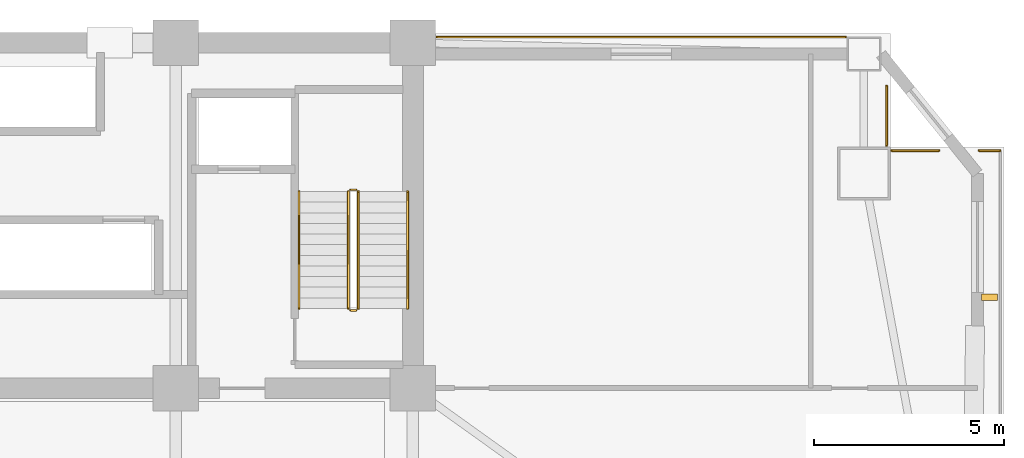
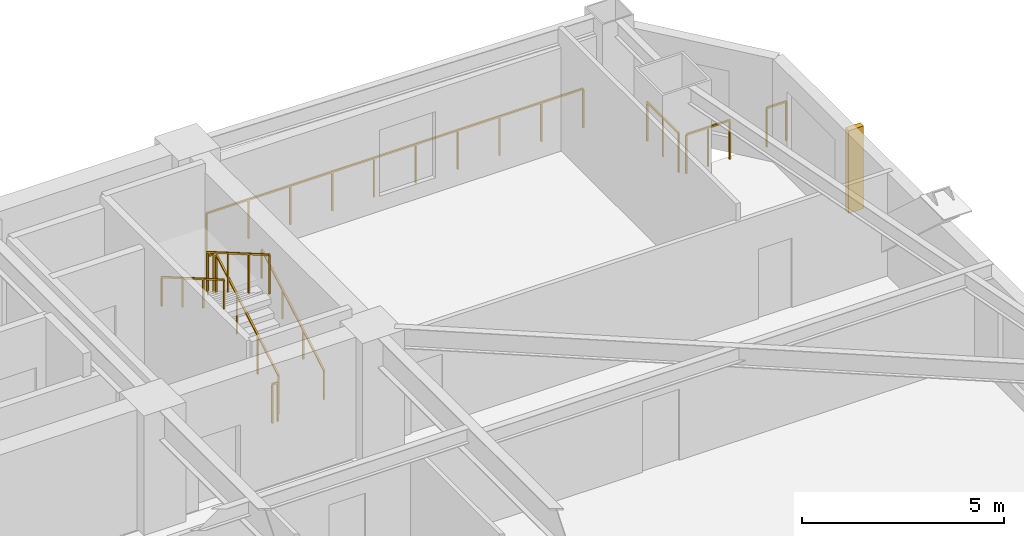
# One storey, part 15 of 15: 10 railings, 1 shading device.
"""IFC4 building model written with IfcOpenShell, lengths in metres."""

import ifcopenshell
import ifcopenshell.guid

model = None  # the IFC model being written
_history = None  # IfcOwnerHistory: only IFC2X3 demands one
_inside = {}  # id of a spatial element -> (the spatial element, [elements in it])
_under = {}  # id of a project, library or spatial element -> (it, [spatial elements below it])
_declared = {}  # id of a project -> (the project, [libraries it declares])
_typed = {}  # id of a type object -> (the type object, [elements of that type])
_made_of = {}  # id of a material, layer set ... -> (it, [elements and type objects made of it])


def new_model(schema):
    """Start an empty IFC model of exactly this schema.

    Asked for "IFC4X3", IfcOpenShell would pick the latest addendum, in which some entities
    have other attributes; the version numbers below select the first issue.
    IFC2X3 requires an IfcOwnerHistory on every rooted entity: one is made here for all.
    """
    global model, _history
    if schema == "IFC4X3":
        model = ifcopenshell.file(schema_version=(4, 3, 0, 0))
    else:
        model = ifcopenshell.file(schema=schema)
    _inside.clear()
    _under.clear()
    _declared.clear()
    _typed.clear()
    _made_of.clear()
    _history = None
    if model.schema == "IFC2X3":
        org = make("IfcOrganization", Name="unknown")
        user = make(
            "IfcPersonAndOrganization",
            ThePerson=make("IfcPerson", FamilyName="unknown"),
            TheOrganization=org,
        )
        app = make(
            "IfcApplication",
            ApplicationDeveloper=org,
            Version="unknown",
            ApplicationFullName="unknown",
            ApplicationIdentifier="unknown",
        )
        _history = make(
            "IfcOwnerHistory",
            OwningUser=user,
            OwningApplication=app,
            ChangeAction="ADDED",
            CreationDate=0,
        )
    return model


def make(cls, **values):
    """One entity of the class cls with the attributes given. An attribute that is None is left unset."""
    return model.create_entity(
        cls, **{name: value for name, value in values.items() if value is not None}
    )


def rooted(cls, **values):
    """An entity with a GlobalId (a new one), such as an element, a storey or a relation."""
    return make(cls, GlobalId=ifcopenshell.guid.new(), OwnerHistory=_history, **values)


def si_unit(unit_type, name, prefix=None):
    """IfcSIUnit, for example si_unit("LENGTHUNIT", "METRE", prefix="MILLI")."""
    return make("IfcSIUnit", UnitType=unit_type, Prefix=prefix, Name=name)


def assignment(units):
    """IfcUnitAssignment: the units of a project."""
    return None if units is None else make("IfcUnitAssignment", Units=units)


def point(xyz):
    """IfcCartesianPoint."""
    return None if xyz is None else make("IfcCartesianPoint", Coordinates=xyz)


def direction(xyz):
    """IfcDirection."""
    return None if xyz is None else make("IfcDirection", DirectionRatios=xyz)


def frame(location, z_axis=None, x_axis=None):
    """IfcAxis2Placement3D, a coordinate frame: its origin and axes. An axis left out is left unset."""
    return make(
        "IfcAxis2Placement3D",
        Location=point(location),
        Axis=direction(z_axis),
        RefDirection=direction(x_axis),
    )


def frame_2d(location, x_axis=None):
    """IfcAxis2Placement2D, a coordinate frame in the plane: its origin and x axis."""
    return make(
        "IfcAxis2Placement2D", Location=point(location), RefDirection=direction(x_axis)
    )


def origin():
    """The frame at (0, 0, 0) with its axes left unset."""
    return frame((0.0, 0.0, 0.0))


def origin_2d():
    """The frame at (0, 0) in the plane with its x axis left unset."""
    return frame_2d((0.0, 0.0))


def place(relative_to, where):
    """IfcLocalPlacement: puts the frame where relative to a parent placement (None: the world)."""
    return make(
        "IfcLocalPlacement", PlacementRelTo=relative_to, RelativePlacement=where
    )


def context(
    kind, dimensions, precision=None, world=None, true_north=None, identifier=None
):
    """IfcGeometricRepresentationContext, for example the 3D "Model" context."""
    return make(
        "IfcGeometricRepresentationContext",
        ContextIdentifier=identifier,
        ContextType=kind,
        CoordinateSpaceDimension=dimensions,
        Precision=precision,
        WorldCoordinateSystem=world,
        TrueNorth=true_north,
    )


def subcontext(parent, identifier, kind, view, scale=None):
    """IfcGeometricRepresentationSubContext, for example "Body" below "Model"."""
    return make(
        "IfcGeometricRepresentationSubContext",
        ContextIdentifier=identifier,
        ContextType=kind,
        ParentContext=parent,
        TargetScale=scale,
        TargetView=view,
    )


def project(units=None, contexts=None):
    """IfcProject with its units and contexts."""
    return rooted(
        "IfcProject",
        Name="project",
        RepresentationContexts=contexts,
        UnitsInContext=assignment(units),
    )


def spatial(cls, under=None, at=None, **own):
    """A site, building, storey or space (cls), placed at a placement, below another one or the project."""
    s = rooted(cls, ObjectPlacement=at, **own)
    if under is not None:
        _under.setdefault(under.id(), (under, []))[1].append(s)
    return s


def profile(cls, at=None, kind="AREA", **sizes):
    """A parametric profile (cls). Its sizes go by their IFC names, for example OverallWidth=200.0."""
    return make(cls, ProfileType=kind, Position=at, **sizes)


def rectangle(**sizes):
    """IfcRectangleProfileDef."""
    return profile("IfcRectangleProfileDef", **sizes)


def extrude(swept, where, along, depth):
    """IfcExtrudedAreaSolid: the profile swept, set in the frame where, extruded along a direction by depth."""
    return make(
        "IfcExtrudedAreaSolid",
        SweptArea=swept,
        Position=where,
        ExtrudedDirection=direction(along),
        Depth=depth,
    )


def shape(context_of_items, identifier, shape_type, items):
    """IfcShapeRepresentation: the items that make up one representation, for example the "Body"."""
    return make(
        "IfcShapeRepresentation",
        ContextOfItems=context_of_items,
        RepresentationIdentifier=identifier,
        RepresentationType=shape_type,
        Items=items,
    )


def source(mapping_origin, context_of_items, identifier, shape_type, items):
    """IfcRepresentationMap: a shape defined once, which mapped items show again and again."""
    return make(
        "IfcRepresentationMap",
        MappingOrigin=mapping_origin,
        MappedRepresentation=shape(context_of_items, identifier, shape_type, items),
    )


def transform(
    local_origin,
    x_axis=None,
    y_axis=None,
    z_axis=None,
    scale=None,
    scale2=None,
    scale3=None,
    uniform=True,
):
    """IfcCartesianTransformationOperator3D, or its non-uniform kind. x_axis, y_axis, z_axis: its Axis1, 2, 3."""
    if uniform:
        return make(
            "IfcCartesianTransformationOperator3D",
            Axis1=direction(x_axis),
            Axis2=direction(y_axis),
            LocalOrigin=point(local_origin),
            Scale=scale,
            Axis3=direction(z_axis),
        )
    return make(
        "IfcCartesianTransformationOperator3DnonUniform",
        Axis1=direction(x_axis),
        Axis2=direction(y_axis),
        LocalOrigin=point(local_origin),
        Scale=scale,
        Axis3=direction(z_axis),
        Scale2=scale2,
        Scale3=scale3,
    )


def mapped(mapping_source, mapping_target):
    """IfcMappedItem: shows the shape of a source again, moved by a transform."""
    return make(
        "IfcMappedItem", MappingSource=mapping_source, MappingTarget=mapping_target
    )


def material(Name=None, Category=None):
    """IfcMaterial."""
    return make("IfcMaterial", Name=Name, Category=Category)


def made_of(thing, what):
    """Note that an element or type object is made of a material, layer set ...; save() writes the relation."""
    if what is not None:
        _made_of.setdefault(what.id(), (what, []))[1].append(thing)
    return thing


def type_object(cls, material=None, **own):
    """A type object (cls), such as IfcWallType, which elements share."""
    return made_of(rooted(cls, **own), material)


def element(
    cls,
    number,
    at=None,
    inside=None,
    cuts=None,
    type_object=None,
    material=None,
    context=None,
    identifier="Body",
    shape_type=None,
    held_by="IfcProductDefinitionShape",
    body=None,
    shapes=None,
    **own,
):
    """One element of the class cls, such as IfcWall. Its Tag is "e" and its number.

    at: its placement. inside: the storey or other place that contains it. cuts: it is an
    opening in that element (IfcRelVoidsElement). A single representation is given by context,
    identifier, shape_type and body (its items); several are given by shapes. held_by: the class
    of the entity that holds the representations. save() writes the other relations.
    """
    e = rooted(cls, Tag="e%d" % number, ObjectPlacement=at, **own)
    if body is not None:
        shapes = [shape(context, identifier, shape_type, body)]
    if shapes is not None:
        e.Representation = make(held_by, Representations=shapes)
    if inside is not None:
        _inside.setdefault(inside.id(), (inside, []))[1].append(e)
    if cuts is not None:
        rooted(
            "IfcRelVoidsElement", RelatingBuildingElement=cuts, RelatedOpeningElement=e
        )
    if type_object is not None:
        _typed.setdefault(type_object.id(), (type_object, []))[1].append(e)
    return made_of(e, material)


def aggregate(whole, parts):
    """IfcRelAggregates: a whole, such as a stair, and the parts it consists of."""
    return rooted("IfcRelAggregates", RelatingObject=whole, RelatedObjects=parts)


def save(model, path):
    """Write the relations noted so far, then the file.

    IfcRelAggregates (storeys below a building ...), IfcRelContainedInSpatialStructure (elements
    in a storey), IfcRelDefinesByType, IfcRelAssociatesMaterial and IfcRelDeclares: one each for
    every whole, place, type object, material and project.
    """
    for whole, parts in _under.values():
        aggregate(whole, parts)
    for where, things in _inside.values():
        rooted(
            "IfcRelContainedInSpatialStructure",
            RelatedElements=things,
            RelatingStructure=where,
        )
    for kind, things in _typed.values():
        rooted("IfcRelDefinesByType", RelatedObjects=things, RelatingType=kind)
    for what, things in _made_of.values():
        rooted("IfcRelAssociatesMaterial", RelatedObjects=things, RelatingMaterial=what)
    for by, libraries in _declared.values():
        rooted("IfcRelDeclares", RelatingContext=by, RelatedDefinitions=libraries)
    model.write(path)


model = new_model("IFC4")

# Units and contexts
model_context = context("Model", 3, precision=1e-05, world=origin(), true_north=direction((0.0, 1.0)))
body_context = subcontext(model_context, "Body", "Model", "MODEL_VIEW")
ifc_project = project(units=[si_unit("LENGTHUNIT", "METRE"), si_unit("AREAUNIT", "SQUARE_METRE"), si_unit("VOLUMEUNIT", "CUBIC_METRE"), si_unit("PLANEANGLEUNIT", "RADIAN"), si_unit("MASSUNIT", "GRAM", prefix="KILO")], contexts=[model_context])

# Site, building, storey
site_placement = place(None, origin())
site = spatial("IfcSite", under=ifc_project, at=site_placement, CompositionType="ELEMENT")
building_placement = place(site_placement, origin())
building = spatial("IfcBuilding", under=site, at=building_placement, Name="Giltprow Tower", CompositionType="ELEMENT")
storey_placement = place(building_placement, frame((0.0, 0.0, 127.0)))
storey = spatial("IfcBuildingStorey", under=building, at=storey_placement, Name="L31", CompositionType="ELEMENT", Elevation=127.0)

# Railings
ifc_material = material(Name="Anodized bronze", Category="metal")
railing_type_1 = type_object("IfcRailingType", Name="RAIL-BALC-GUARD-1200", PredefinedType="BALUSTRADE", material=ifc_material)
railing_1_placement = place(storey_placement, frame((51.18505859375, 46.699951171875, 0.0)))
element("IfcRailing", 1, at=railing_1_placement, inside=storey, type_object=railing_type_1, Name="L31 Corner Apron Edge Balustrade 10", PredefinedType="BALUSTRADE", context=body_context, shape_type="SweptSolid", body=[
    extrude(rectangle(XDim=0.048095703125, YDim=0.048095703125, at=origin_2d()), frame((0.0, 0.0, 1.17578125), z_axis=(1.0, 0.0, 0.0), x_axis=(0.0, 1.0, 0.0)), (0.0, 0.0, 1.0), 10.760009765625),
    extrude(rectangle(XDim=0.0419921875, YDim=0.0419921875, at=origin_2d()), origin(), (0.0, 0.0, 1.0), 1.15185546875),
    extrude(rectangle(XDim=0.0419921875, YDim=0.0419921875, at=origin_2d()), frame((1.195556640625, 0.0, 0.0)), (0.0, 0.0, 1.0), 1.15185546875),
    extrude(rectangle(XDim=0.0419921875, YDim=0.0419921875, at=origin_2d()), frame((2.39111328125, 0.0, 0.0)), (0.0, 0.0, 1.0), 1.15185546875),
    extrude(rectangle(XDim=0.0419921875, YDim=0.0419921875, at=origin_2d()), frame((3.586669921875, 0.0, 0.0)), (0.0, 0.0, 1.0), 1.15185546875),
    extrude(rectangle(XDim=0.0419921875, YDim=0.0419921875, at=origin_2d()), frame((4.7822265625, 0.0, 0.0)), (0.0, 0.0, 1.0), 1.15185546875),
    extrude(rectangle(XDim=0.0419921875, YDim=0.0419921875, at=origin_2d()), frame((5.977783203125, 0.0, 0.0)), (0.0, 0.0, 1.0), 1.15185546875),
    extrude(rectangle(XDim=0.0419921875, YDim=0.0419921875, at=origin_2d()), frame((7.17333984375, 0.0, 0.0)), (0.0, 0.0, 1.0), 1.15185546875),
    extrude(rectangle(XDim=0.0419921875, YDim=0.0419921875, at=origin_2d()), frame((8.368896484375, 0.0, 0.0)), (0.0, 0.0, 1.0), 1.15185546875),
    extrude(rectangle(XDim=0.0419921875, YDim=0.0419921875, at=origin_2d()), frame((9.564453125, 0.0, 0.0)), (0.0, 0.0, 1.0), 1.15185546875),
    extrude(rectangle(XDim=0.0419921875, YDim=0.0419921875, at=origin_2d()), frame((10.760009765625, 0.0, 0.0)), (0.0, 0.0, 1.0), 1.15185546875),
])
railing_2_placement = place(storey_placement, frame((63.030029296875, 45.4130859375, 0.0)))
element("IfcRailing", 2, at=railing_2_placement, inside=storey, type_object=railing_type_1, Name="L31 Corner Apron Edge Balustrade 11", PredefinedType="BALUSTRADE", context=body_context, shape_type="SweptSolid", body=[
    extrude(rectangle(XDim=0.048095703125, YDim=0.048095703125, at=origin_2d()), frame((0.0, 0.0, 1.17578125), z_axis=(0.0, -1.0, 0.0), x_axis=(1.0, 0.0, 0.0)), (0.0, 0.0, 1.0), 1.569091796875),
    extrude(rectangle(XDim=0.0419921875, YDim=0.0419921875, at=origin_2d()), origin(), (0.0, 0.0, 1.0), 1.15185546875),
    extrude(rectangle(XDim=0.0419921875, YDim=0.0419921875, at=origin_2d()), frame((0.0, -0.78466796875, 0.0)), (0.0, 0.0, 1.0), 1.15185546875),
    extrude(rectangle(XDim=0.0419921875, YDim=0.0419921875, at=origin_2d()), frame((0.0, -1.569091796875, 0.0)), (0.0, 0.0, 1.0), 1.15185546875),
])
railing_3_placement = place(storey_placement, frame((63.1650390625, 43.708984375, 0.0)))
element("IfcRailing", 3, at=railing_3_placement, inside=storey, type_object=railing_type_1, Name="L31 Corner Apron Edge Balustrade 12", PredefinedType="BALUSTRADE", context=body_context, shape_type="SweptSolid", body=[
    extrude(rectangle(XDim=0.048095703125, YDim=0.048095703125, at=origin_2d()), frame((0.0, 0.0, 1.17578125), z_axis=(1.0, 0.0, 0.0), x_axis=(0.0, 1.0, 0.0)), (0.0, 0.0, 1.0), 1.242919921875),
    extrude(rectangle(XDim=0.0419921875, YDim=0.0419921875, at=origin_2d()), origin(), (0.0, 0.0, 1.0), 1.15185546875),
    extrude(rectangle(XDim=0.0419921875, YDim=0.0419921875, at=origin_2d()), frame((0.62158203125, 0.0, 0.0)), (0.0, 0.0, 1.0), 1.15185546875),
    extrude(rectangle(XDim=0.0419921875, YDim=0.0419921875, at=origin_2d()), frame((1.242919921875, 0.0, 0.0)), (0.0, 0.0, 1.0), 1.15185546875),
])
railing_4_placement = place(storey_placement, frame((65.462890625, 43.708984375, 0.0)))
element("IfcRailing", 4, at=railing_4_placement, inside=storey, type_object=railing_type_1, Name="L31 Corner Apron Edge Balustrade 13", PredefinedType="BALUSTRADE", context=body_context, shape_type="SweptSolid", body=[
    extrude(rectangle(XDim=0.048095703125, YDim=0.048095703125, at=origin_2d()), frame((0.0, 0.0, 1.17578125), z_axis=(1.0, 0.0, 0.0), x_axis=(0.0, 1.0, 0.0)), (0.0, 0.0, 1.0), 0.55810546875),
    extrude(rectangle(XDim=0.0419921875, YDim=0.0419921875, at=origin_2d()), origin(), (0.0, 0.0, 1.0), 1.15185546875),
    extrude(rectangle(XDim=0.0419921875, YDim=0.0419921875, at=origin_2d()), frame((0.55810546875, 0.0, 0.0)), (0.0, 0.0, 1.0), 1.15185546875),
])
railing_type_2 = type_object("IfcRailingType", Name="RAIL-STAIR-GUARD-1200", PredefinedType="GUARDRAIL", material=ifc_material)
railing_5_placement = place(storey_placement, frame((49.110107421875, 39.550048828125, 0.16259765625)))
element("IfcRailing", 5, at=railing_5_placement, inside=storey, type_object=railing_type_2, Name="L31 ST-3 stair guard 1", PredefinedType="GUARDRAIL", context=body_context, shape_type="SweptSolid", body=[
    extrude(rectangle(XDim=0.048095703125, YDim=0.048095703125, at=origin_2d()), frame((0.0, 0.0, 1.17578125), z_axis=(0.0, 0.864903211148, 0.501938676878), x_axis=(-1.0, 0.0, 0.0)), (0.0, 0.0, 1.0), 3.560791015625),
    extrude(rectangle(XDim=0.0419921875, YDim=0.0419921875, at=origin_2d()), origin(), (0.0, 0.0, 1.0), 1.15185546875),
    extrude(rectangle(XDim=0.0419921875, YDim=0.0419921875, at=origin_2d()), frame((0.0, 1.026611328125, 0.595703125)), (0.0, 0.0, 1.0), 1.15185546875),
    extrude(rectangle(XDim=0.0419921875, YDim=0.0419921875, at=origin_2d()), frame((0.0, 2.05322265625, 1.191650390625)), (0.0, 0.0, 1.0), 1.15185546875),
    extrude(rectangle(XDim=0.0419921875, YDim=0.0419921875, at=origin_2d()), frame((0.0, 3.079833984375, 1.787353515625)), (0.0, 0.0, 1.0), 1.15185546875),
])
railing_6_placement = place(storey_placement, frame((49.06005859375, 42.679931640625, 1.949951171875)))
element("IfcRailing", 6, at=railing_6_placement, inside=storey, type_object=railing_type_2, Name="L31 ST-3 stair guard 2", PredefinedType="GUARDRAIL", context=body_context, shape_type="SweptSolid", body=[
    extrude(rectangle(XDim=0.048095703125, YDim=0.048095703125, at=origin_2d()), frame((0.0, 0.0, 1.17578125), z_axis=(-1.0, 0.0, 0.0), x_axis=(0.0, -1.0, 0.0)), (0.0, 0.0, 1.0), 0.16015625),
    extrude(rectangle(XDim=0.0419921875, YDim=0.0419921875, at=origin_2d()), origin(), (0.0, 0.0, 1.0), 1.15185546875),
    extrude(rectangle(XDim=0.0419921875, YDim=0.0419921875, at=origin_2d()), frame((-0.16015625, 0.0, 0.0)), (0.0, 0.0, 1.0), 1.15185546875),
])
railing_7_placement = place(storey_placement, frame((48.85009765625, 42.6298828125, 2.112548828125)))
element("IfcRailing", 7, at=railing_7_placement, inside=storey, type_object=railing_type_2, Name="L31 ST-3 stair guard 3", PredefinedType="GUARDRAIL", context=body_context, shape_type="SweptSolid", body=[
    extrude(rectangle(XDim=0.048095703125, YDim=0.048095703125, at=origin_2d()), frame((0.0, 0.0, 1.17578125), z_axis=(0.0, -0.864903211148, 0.501938676878), x_axis=(1.0, 0.0, 0.0)), (0.0, 0.0, 1.0), 3.560791015625),
    extrude(rectangle(XDim=0.0419921875, YDim=0.0419921875, at=origin_2d()), origin(), (0.0, 0.0, 1.0), 1.15185546875),
    extrude(rectangle(XDim=0.0419921875, YDim=0.0419921875, at=origin_2d()), frame((0.0, -1.026611328125, 0.595703125)), (0.0, 0.0, 1.0), 1.15185546875),
    extrude(rectangle(XDim=0.0419921875, YDim=0.0419921875, at=origin_2d()), frame((0.0, -2.05322265625, 1.191650390625)), (0.0, 0.0, 1.0), 1.15185546875),
    extrude(rectangle(XDim=0.0419921875, YDim=0.0419921875, at=origin_2d()), frame((0.0, -3.079833984375, 1.787353515625)), (0.0, 0.0, 1.0), 1.15185546875),
])
railing_8_placement = place(storey_placement, frame((49.06005859375, 39.5, 0.0)))
element("IfcRailing", 8, at=railing_8_placement, inside=storey, type_object=railing_type_2, Name="L31 ST-3 stair guard 4", PredefinedType="GUARDRAIL", context=body_context, shape_type="SweptSolid", body=[
    extrude(rectangle(XDim=0.048095703125, YDim=0.048095703125, at=origin_2d()), frame((0.0, 0.0, 1.17578125), z_axis=(-1.0, 0.0, 0.0), x_axis=(0.0, -1.0, 0.0)), (0.0, 0.0, 1.0), 0.16015625),
    extrude(rectangle(XDim=0.0419921875, YDim=0.0419921875, at=origin_2d()), origin(), (0.0, 0.0, 1.0), 1.15185546875),
    extrude(rectangle(XDim=0.0419921875, YDim=0.0419921875, at=origin_2d()), frame((-0.16015625, 0.0, 0.0)), (0.0, 0.0, 1.0), 1.15185546875),
])
railing_type_3 = type_object("IfcRailingType", Name="RAIL-STAIR-HAND-900", PredefinedType="HANDRAIL", material=ifc_material)
railing_9_placement = place(storey_placement, frame((50.409912109375, 39.550048828125, 0.16259765625)))
element("IfcRailing", 9, at=railing_9_placement, inside=storey, type_object=railing_type_3, Name="L31 ST-3 stair handrail 1", PredefinedType="HANDRAIL", context=body_context, shape_type="SweptSolid", body=[
    extrude(rectangle(XDim=0.048095703125, YDim=0.048095703125, at=origin_2d()), frame((0.0, 0.0, 0.8759765625), z_axis=(0.0, 0.864903211148, 0.501938676878), x_axis=(-1.0, 0.0, 0.0)), (0.0, 0.0, 1.0), 3.560791015625),
    extrude(rectangle(XDim=0.0419921875, YDim=0.0419921875, at=origin_2d()), origin(), (0.0, 0.0, 1.0), 0.851806640625),
    extrude(rectangle(XDim=0.0419921875, YDim=0.0419921875, at=origin_2d()), frame((0.0, 1.026611328125, 0.595703125)), (0.0, 0.0, 1.0), 0.851806640625),
    extrude(rectangle(XDim=0.0419921875, YDim=0.0419921875, at=origin_2d()), frame((0.0, 2.05322265625, 1.191650390625)), (0.0, 0.0, 1.0), 0.851806640625),
    extrude(rectangle(XDim=0.0419921875, YDim=0.0419921875, at=origin_2d()), frame((0.0, 3.079833984375, 1.787353515625)), (0.0, 0.0, 1.0), 0.851806640625),
])
railing_10_placement = place(storey_placement, frame((47.550048828125, 42.6298828125, 2.112548828125)))
element("IfcRailing", 10, at=railing_10_placement, inside=storey, type_object=railing_type_3, Name="L31 ST-3 stair handrail 2", PredefinedType="HANDRAIL", context=body_context, shape_type="SweptSolid", body=[
    extrude(rectangle(XDim=0.048095703125, YDim=0.048095703125, at=origin_2d()), frame((0.0, 0.0, 0.8759765625), z_axis=(0.0, -0.864903211148, 0.501938676878), x_axis=(1.0, 0.0, 0.0)), (0.0, 0.0, 1.0), 3.560791015625),
    extrude(rectangle(XDim=0.0419921875, YDim=0.0419921875, at=origin_2d()), origin(), (0.0, 0.0, 1.0), 0.851806640625),
    extrude(rectangle(XDim=0.0419921875, YDim=0.0419921875, at=origin_2d()), frame((0.0, -1.026611328125, 0.595703125)), (0.0, 0.0, 1.0), 0.851806640625),
    extrude(rectangle(XDim=0.0419921875, YDim=0.0419921875, at=origin_2d()), frame((0.0, -2.05322265625, 1.191650390625)), (0.0, 0.0, 1.0), 0.851806640625),
    extrude(rectangle(XDim=0.0419921875, YDim=0.0419921875, at=origin_2d()), frame((0.0, -3.079833984375, 1.787353515625)), (0.0, 0.0, 1.0), 0.851806640625),
])

# Shading device
shading_device_type = type_object("IfcShadingDeviceType", Name="SHD-FIN-420", PredefinedType="USERDEFINED", material=ifc_material)
shared_shape = source(origin(), body_context, "Body", "SweptSolid", [
    extrude(rectangle(XDim=0.419921875, YDim=0.159912109375, at=origin_2d()), origin(), (0.0, 0.0, 1.0), 2.5),
])
shading_device_placement = place(storey_placement, frame((65.740966796875, 39.846923828125, 0.35009765625), z_axis=(0.0, 0.0, 1.0), x_axis=(1.0, 0.0, 0.0)))
element("IfcShadingDevice", 11, at=shading_device_placement, inside=storey, type_object=shading_device_type, Name="L31 E Bronze Vertical Fin 2-2", ObjectType="FIN", PredefinedType="USERDEFINED", context=body_context, shape_type="MappedRepresentation", body=[
    mapped(shared_shape, transform((0.0, 0.0, 0.0), x_axis=(1.0, 0.0, 0.0), y_axis=(0.0, 1.0, 0.0), z_axis=(0.0, 0.0, 1.0), scale=1.0)),
])

save(model, "model.ifc")
